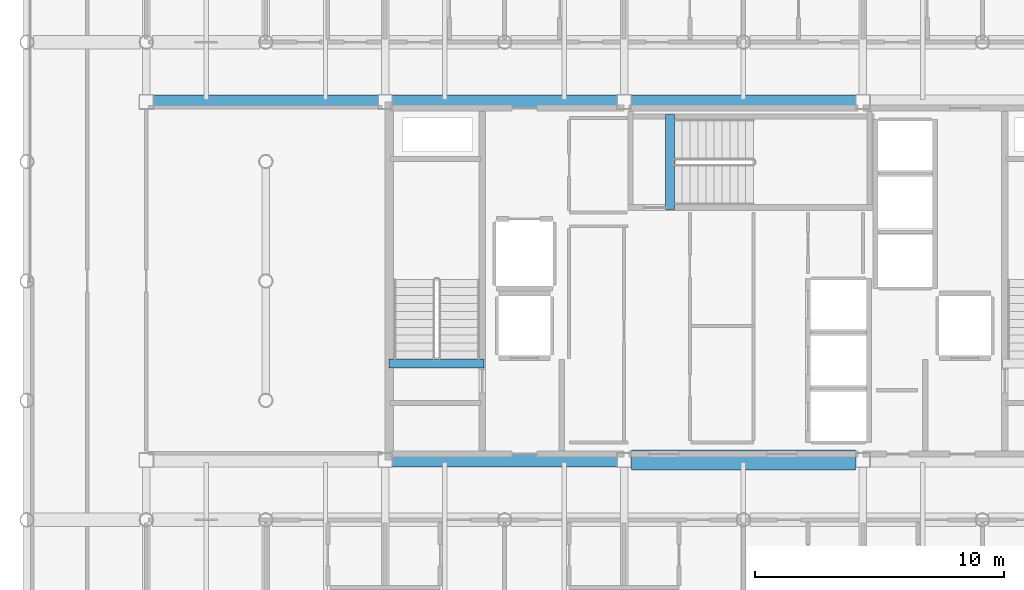
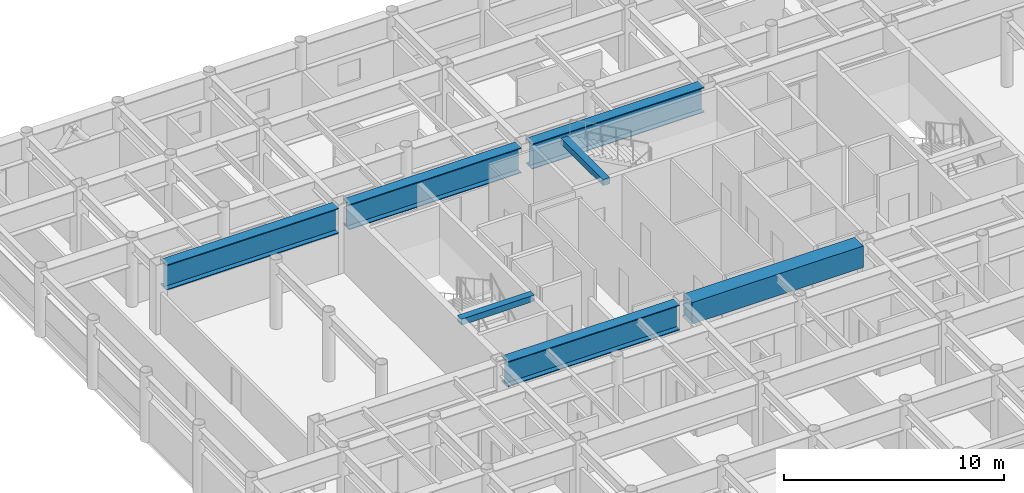
# One storey, part 7 of 22: 7 beams.
"""IFC4 building model written with IfcOpenShell, lengths in metres."""

from ifc_helpers import new_model, si_unit, direction, frame, origin, origin_2d, place, context, subcontext, project, spatial, rectangle, i_section, extrude, material, material_profile, profile_set, type_object, element, save


model = new_model("IFC4")

# Units and contexts
model_context = context("Model", 3, precision=1e-05, world=origin(), true_north=direction((0.0, 1.0)))
body_context = subcontext(model_context, "Body", "Model", "MODEL_VIEW")
ifc_project = project(units=[si_unit("LENGTHUNIT", "METRE"), si_unit("AREAUNIT", "SQUARE_METRE"), si_unit("VOLUMEUNIT", "CUBIC_METRE"), si_unit("PLANEANGLEUNIT", "RADIAN"), si_unit("MASSUNIT", "GRAM", prefix="KILO")], contexts=[model_context])

# Site, building, storey
site_placement = place(None, origin())
site = spatial("IfcSite", under=ifc_project, at=site_placement, CompositionType="ELEMENT")
building_placement = place(site_placement, origin())
building = spatial("IfcBuilding", under=site, at=building_placement, Name="Kallvorn Hotel Tower", CompositionType="ELEMENT")
storey_placement = place(building_placement, frame((0.0, 0.0, 191.5)))
storey = spatial("IfcBuildingStorey", under=building, at=storey_placement, Name="L47", CompositionType="ELEMENT", Elevation=191.5)

# Beams
ifc_material_1 = material(Name="Structural steel S355JR", Category="steel")
ifc_material_profile_1 = material_profile(ifc_material_1, i_section(OverallWidth=0.550048828125, OverallDepth=1.39990234375, WebThickness=0.02490234375, FlangeThickness=0.044921875, at=origin_2d()), Name="PG 1400x550x25x45")
ifc_profile_set_1 = profile_set([ifc_material_profile_1], Name="Structural steel S355JR")
beam_type_1 = type_object("IfcBeamType", Name="BM_PG_1400", PredefinedType="BEAM", material=ifc_profile_set_1)
for number, where, z_axis, x_axis, name in (
    (1, (-14.125, -7.199951171875, 2.969970703125), (1.0, 0.0, 0.0), (0.0, 1.0, 0.0), "L48 Primary X-Girder 34"),
    (2, (-23.72509765625, 7.199951171875, 2.969970703125), (1.0, 0.0, 0.0), (0.0, 1.0, 0.0), "L48 Primary X-Girder 37"),
    (3, (-14.125, 7.199951171875, 2.969970703125), (1.0, 0.0, 0.0), (0.0, 1.0, 0.0), "L48 Primary X-Girder 38"),
):
    element("IfcBeam", number, at=place(storey_placement, frame(where, z_axis=z_axis, x_axis=x_axis)), inside=storey, type_object=beam_type_1, Name=name, PredefinedType="BEAM", context=body_context, shape_type="SweptSolid", body=[
        extrude(i_section(OverallWidth=0.550048828125, OverallDepth=1.39990234375, WebThickness=0.02490234375, FlangeThickness=0.044921875, at=origin_2d()), origin(), (0.0, 0.0, 1.0), 9.050048828125),
    ])
beam_1_placement = place(storey_placement, frame((-4.52490234375, 7.199951171875, 2.969970703125), z_axis=(1.0, 0.0, 0.0), x_axis=(0.0, 1.0, 0.0)))
element("IfcBeam", 4, at=beam_1_placement, inside=storey, type_object=beam_type_1, Name="L48 Primary X-Girder 39", PredefinedType="BEAM", context=body_context, shape_type="SweptSolid", body=[
    extrude(i_section(OverallWidth=0.550048828125, OverallDepth=1.39990234375, WebThickness=0.02490234375, FlangeThickness=0.044921875, at=origin_2d()), origin(), (0.0, 0.0, 1.0), 9.0498046875),
])
ifc_material_2 = material(Name="Concrete C50/60", Category="concrete")
ifc_material_profile_2 = material_profile(ifc_material_2, rectangle(XDim=0.360107421875, YDim=0.340087890625, at=origin_2d()), Name="RC 360x340")
ifc_profile_set_2 = profile_set([ifc_material_profile_2], Name="Concrete C50/60")
beam_type_2 = type_object("IfcBeamType", Name="BM_RC_400x360", PredefinedType="BEAM", material=ifc_profile_set_2)
beam_2_placement = place(storey_placement, frame((-10.419921875, -3.31005859375, 3.5), z_axis=(-1.0, 0.0, 0.0), x_axis=(0.0, -1.0, 0.0)))
element("IfcBeam", 5, at=beam_2_placement, inside=storey, type_object=beam_type_2, Name="L48 Stair ST1 Arrival Trimmer Beam", PredefinedType="BEAM", context=body_context, shape_type="SweptSolid", body=[
    extrude(rectangle(XDim=0.360107421875, YDim=0.340087890625, at=origin_2d()), origin(), (0.0, 0.0, 1.0), 3.820068359375),
])
beam_3_placement = place(storey_placement, frame((-2.9599609375, 2.8701171875, 3.5), z_axis=(0.0, 1.0, 0.0), x_axis=(-1.0, 0.0, 0.0)))
element("IfcBeam", 6, at=beam_3_placement, inside=storey, type_object=beam_type_2, Name="L48 Stair ST3 Arrival Trimmer Beam", PredefinedType="BEAM", context=body_context, shape_type="SweptSolid", body=[
    extrude(rectangle(XDim=0.360107421875, YDim=0.340087890625, at=origin_2d()), origin(), (0.0, 0.0, 1.0), 3.81982421875),
])
ifc_material_3 = material(Name="Concrete C50/60", Category="concrete")
ifc_material_profile_3 = material_profile(ifc_material_3, rectangle(XDim=0.800048828125, YDim=1.199951171875, at=origin_2d()), Name="RC 800x1200")
ifc_profile_set_3 = profile_set([ifc_material_profile_3], Name="Concrete C50/60")
beam_type_3 = type_object("IfcBeamType", Name="BM_RC_800x1200", PredefinedType="T_BEAM", material=ifc_profile_set_3)
beam_4_placement = place(storey_placement, frame((-4.5, -7.199951171875, 3.070068359375), z_axis=(1.0, 0.0, 0.0), x_axis=(0.0, 1.0, 0.0)))
element("IfcBeam", 7, at=beam_4_placement, inside=storey, type_object=beam_type_3, Name="L47 Core Coupling Beam South", PredefinedType="T_BEAM", context=body_context, shape_type="SweptSolid", body=[
    extrude(rectangle(XDim=0.800048828125, YDim=1.199951171875, at=origin_2d()), origin(), (0.0, 0.0, 1.0), 9.0),
])

save(model, "model.ifc")
